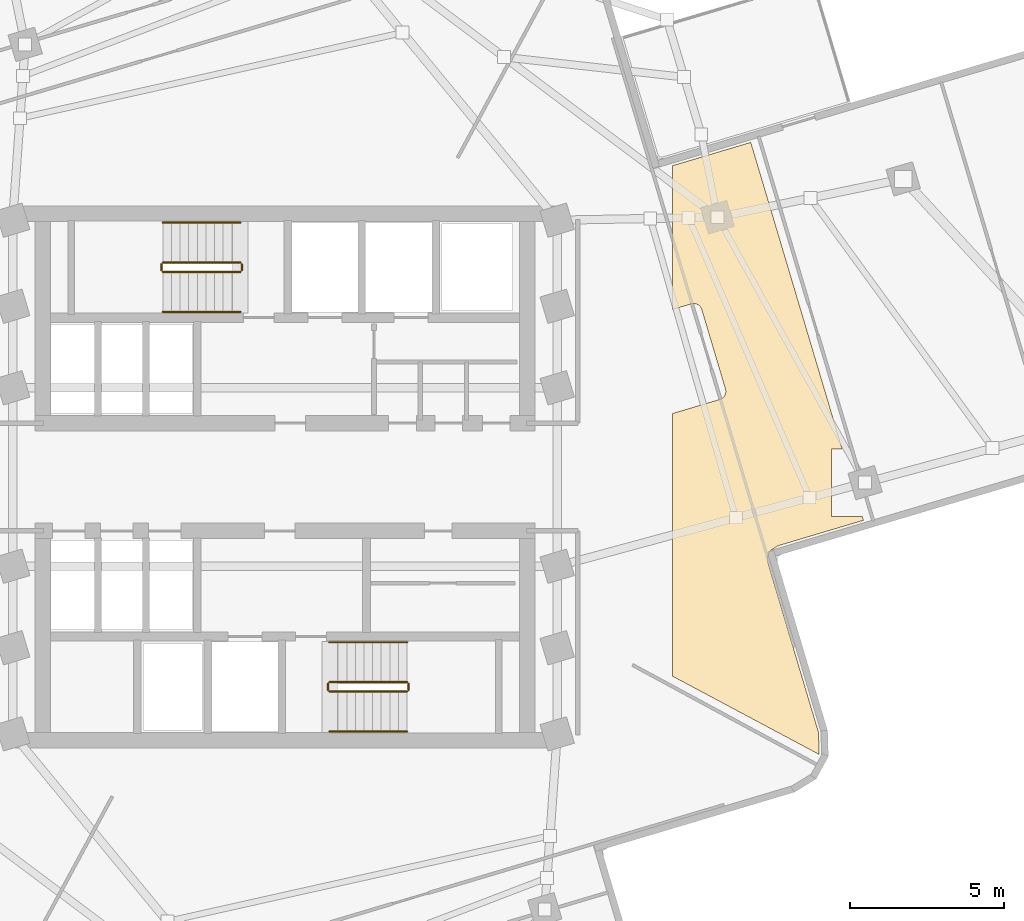
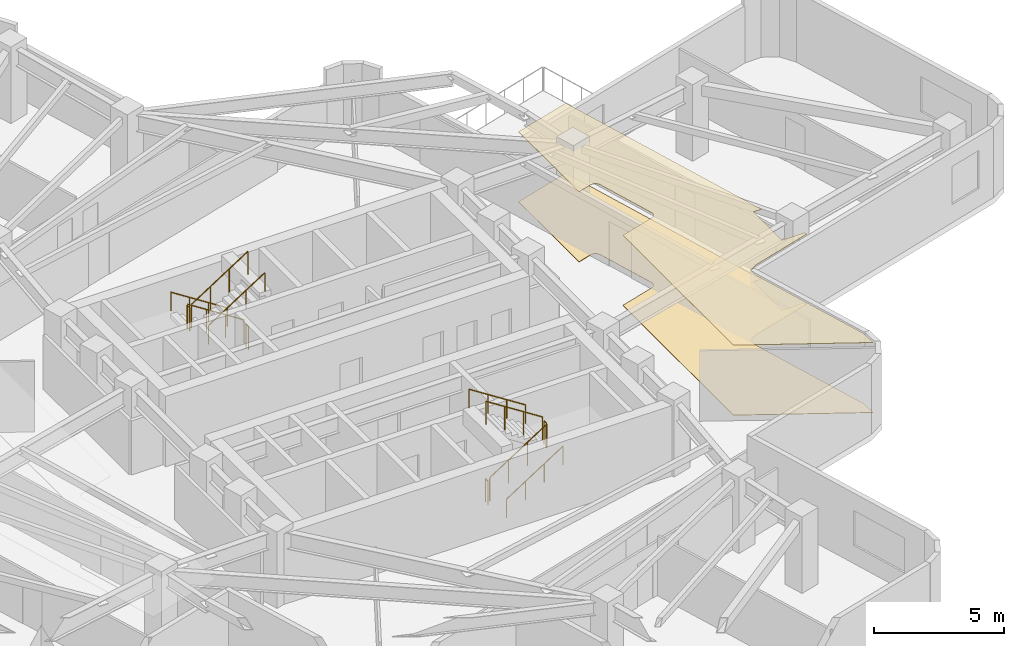
# One storey, part 10 of 11: 12 railings, 2 coverings.
"""IFC4 building model written with IfcOpenShell, lengths in metres."""

from ifc_helpers import new_model, si_unit, direction, frame, origin, origin_2d, place, context, subcontext, project, spatial, polyline, circle, outline, extrude, material, layer, layer_set, type_object, element, save


model = new_model("IFC4")

# Units and contexts
model_context = context("Model", 3, precision=1e-05, world=origin(), true_north=direction((0.0, 1.0)))
body_context = subcontext(model_context, "Body", "Model", "MODEL_VIEW")
ifc_project = project(units=[si_unit("LENGTHUNIT", "METRE"), si_unit("AREAUNIT", "SQUARE_METRE"), si_unit("VOLUMEUNIT", "CUBIC_METRE"), si_unit("PLANEANGLEUNIT", "RADIAN"), si_unit("MASSUNIT", "GRAM", prefix="KILO")], contexts=[model_context])

# Site, building, storey
site_placement = place(None, origin())
site = spatial("IfcSite", under=ifc_project, at=site_placement, CompositionType="ELEMENT")
building_placement = place(site_placement, origin())
building = spatial("IfcBuilding", under=site, at=building_placement, Name="Solmarez Civic Tower", CompositionType="ELEMENT")
storey_placement = place(building_placement, frame((0.0, 0.0, 141.47998046875)))
storey = spatial("IfcBuildingStorey", under=building, at=storey_placement, Name="L37", CompositionType="ELEMENT", Elevation=141.47998046875)

# Coverings
ifc_material_1 = material(Name="Perforated Mineral-Fibre Acoustic Ceiling")
ifc_layer_1 = layer(ifc_material_1, 0.02490234375)
ifc_layer_set_1 = layer_set([ifc_layer_1], Name="Perforated Mineral-Fibre Acoustic Ceiling")
covering_type_1 = type_object("IfcCoveringType", Name="COV-CEIL-ACOUSTIC", PredefinedType="CEILING", material=ifc_layer_set_1)
covering_1_placement = place(storey_placement, frame((0.0, 0.0, 3.294921875)))
element("IfcCovering", 1, at=covering_1_placement, inside=storey, type_object=covering_type_1, Name="L37 Suspended Acoustic Ceiling 2", PredefinedType="CEILING", context=body_context, shape_type="SweptSolid", body=[
    extrude(outline(polyline([(12.60009765625, 10.1220703125), (12.60009765625, 5.447021484375), (13.217041015625, 5.631103515625), (13.237060546875, 5.635986328125), (13.258056640625, 5.638916015625), (13.26806640625, 5.639892578125), (13.2900390625, 5.64111328125), (13.294921875, 5.64111328125), (13.31689453125, 5.639892578125), (13.337890625, 5.636962890625), (13.343017578125, 5.635986328125), (13.3701171875, 5.62890625), (13.37890625, 5.6259765625), (13.39111328125, 5.62109375), (13.39599609375, 5.618896484375), (13.4130859375, 5.611083984375), (13.429931640625, 5.60205078125), (13.446044921875, 5.591064453125), (13.4580078125, 5.58203125), (13.47607421875, 5.56689453125), (13.492919921875, 5.549072265625), (13.4990234375, 5.5419921875), (13.511962890625, 5.52490234375), (13.52294921875, 5.507080078125), (13.532958984375, 5.488037109375), (13.537109375, 5.47900390625), (13.5400390625, 5.471923828125), (13.5419921875, 5.467041015625), (13.549072265625, 5.447998046875), (14.321044921875, 2.85595703125), (14.325927734375, 2.8359375), (14.326904296875, 2.8310546875), (14.330078125, 2.81005859375), (14.3310546875, 2.7880859375), (14.3310546875, 2.778076171875), (14.330078125, 2.756103515625), (14.326904296875, 2.735107421875), (14.325927734375, 2.72998046875), (14.319091796875, 2.702880859375), (14.31591796875, 2.694091796875), (14.31103515625, 2.681884765625), (14.30908203125, 2.677001953125), (14.301025390625, 2.659912109375), (14.2919921875, 2.64306640625), (14.281005859375, 2.626953125), (14.27197265625, 2.614990234375), (14.257080078125, 2.596923828125), (14.239013671875, 2.580078125), (14.23193359375, 2.573974609375), (14.215087890625, 2.56103515625), (14.197021484375, 2.550048828125), (14.177978515625, 2.5400390625), (14.1689453125, 2.535888671875), (14.162109375, 2.532958984375), (14.156982421875, 2.531005859375), (14.137939453125, 2.52392578125), (12.60009765625, 2.06591796875), (12.60009765625, -6.47509765625), (17.361083984375, -9.01611328125), (17.364013671875, -9.009033203125), (17.344970703125, -8.301025390625), (15.721923828125, -2.85888671875), (15.717041015625, -2.840087890625), (15.712890625, -2.820068359375), (15.7109375, -2.805908203125), (15.708984375, -2.780029296875), (15.705078125, -2.60302734375), (15.705078125, -2.594970703125), (15.70703125, -2.56396484375), (15.7080078125, -2.55908203125), (15.708984375, -2.552978515625), (15.7109375, -2.535888671875), (15.715087890625, -2.52001953125), (15.717041015625, -2.512939453125), (15.72705078125, -2.486083984375), (15.72998046875, -2.47900390625), (15.740966796875, -2.45703125), (15.7451171875, -2.449951171875), (15.7529296875, -2.43701171875), (15.757080078125, -2.430908203125), (15.77099609375, -2.412109375), (15.77587890625, -2.406005859375), (15.7890625, -2.39111328125), (15.7939453125, -2.385986328125), (15.80908203125, -2.373046875), (15.81494140625, -2.367919921875), (15.827880859375, -2.35791015625), (15.8349609375, -2.35302734375), (15.847900390625, -2.344970703125), (15.993896484375, -2.2548828125), (16.010986328125, -2.2451171875), (16.01708984375, -2.241943359375), (16.028076171875, -2.237060546875), (16.034912109375, -2.23388671875), (16.052001953125, -2.22705078125), (16.05810546875, -2.22509765625), (16.06494140625, -2.222900390625), (18.804931640625, -1.406005859375), (18.76904296875, -1.282958984375), (17.760009765625, -1.282958984375), (17.760009765625, 0.9169921875), (18.113037109375, 0.9169921875), (15.14306640625, 10.87890625), (12.60009765625, 10.1220703125)])), origin(), (0.0, 0.0, 1.0), 0.025146484375),
])
ifc_material_2 = material(Name="Polished Tropical Stone Terrazzo Flooring", Category="masonry")
ifc_layer_2 = layer(ifc_material_2, 0.02001953125)
ifc_layer_set_2 = layer_set([ifc_layer_2], Name="Polished Tropical Stone Terrazzo Flooring")
covering_type_2 = type_object("IfcCoveringType", Name="COV-FLOOR-TERRAZZO", PredefinedType="FLOORING", material=ifc_layer_set_2)
covering_2_placement = place(storey_placement, origin())
element("IfcCovering", 2, at=covering_2_placement, inside=storey, type_object=covering_type_2, Name="L37 Terrazzo Floor Finish 2", PredefinedType="FLOORING", context=body_context, shape_type="SweptSolid", body=[
    extrude(outline(polyline([(12.60009765625, 10.1220703125), (12.60009765625, 5.447021484375), (13.217041015625, 5.631103515625), (13.237060546875, 5.635986328125), (13.258056640625, 5.638916015625), (13.26806640625, 5.639892578125), (13.2900390625, 5.64111328125), (13.294921875, 5.64111328125), (13.31689453125, 5.639892578125), (13.337890625, 5.636962890625), (13.343017578125, 5.635986328125), (13.3701171875, 5.62890625), (13.37890625, 5.6259765625), (13.39111328125, 5.62109375), (13.39599609375, 5.618896484375), (13.4130859375, 5.611083984375), (13.429931640625, 5.60205078125), (13.446044921875, 5.591064453125), (13.4580078125, 5.58203125), (13.47607421875, 5.56689453125), (13.492919921875, 5.549072265625), (13.4990234375, 5.5419921875), (13.511962890625, 5.52490234375), (13.52294921875, 5.507080078125), (13.532958984375, 5.488037109375), (13.537109375, 5.47900390625), (13.5400390625, 5.471923828125), (13.5419921875, 5.467041015625), (13.549072265625, 5.447998046875), (14.321044921875, 2.85595703125), (14.325927734375, 2.8359375), (14.326904296875, 2.8310546875), (14.330078125, 2.81005859375), (14.3310546875, 2.7880859375), (14.3310546875, 2.778076171875), (14.330078125, 2.756103515625), (14.326904296875, 2.735107421875), (14.325927734375, 2.72998046875), (14.319091796875, 2.702880859375), (14.31591796875, 2.694091796875), (14.31103515625, 2.681884765625), (14.30908203125, 2.677001953125), (14.301025390625, 2.659912109375), (14.2919921875, 2.64306640625), (14.281005859375, 2.626953125), (14.27197265625, 2.614990234375), (14.257080078125, 2.596923828125), (14.239013671875, 2.580078125), (14.23193359375, 2.573974609375), (14.215087890625, 2.56103515625), (14.197021484375, 2.550048828125), (14.177978515625, 2.5400390625), (14.1689453125, 2.535888671875), (14.162109375, 2.532958984375), (14.156982421875, 2.531005859375), (14.137939453125, 2.52392578125), (12.60009765625, 2.06591796875), (12.60009765625, -6.47509765625), (17.361083984375, -9.01611328125), (17.364013671875, -9.009033203125), (17.344970703125, -8.301025390625), (15.721923828125, -2.85888671875), (15.717041015625, -2.840087890625), (15.712890625, -2.820068359375), (15.7109375, -2.805908203125), (15.708984375, -2.780029296875), (15.705078125, -2.60302734375), (15.705078125, -2.594970703125), (15.70703125, -2.56396484375), (15.7080078125, -2.55908203125), (15.708984375, -2.552978515625), (15.7109375, -2.535888671875), (15.715087890625, -2.52001953125), (15.717041015625, -2.512939453125), (15.72705078125, -2.486083984375), (15.72998046875, -2.47900390625), (15.740966796875, -2.45703125), (15.7451171875, -2.449951171875), (15.7529296875, -2.43701171875), (15.757080078125, -2.430908203125), (15.77099609375, -2.412109375), (15.77587890625, -2.406005859375), (15.7890625, -2.39111328125), (15.7939453125, -2.385986328125), (15.80908203125, -2.373046875), (15.81494140625, -2.367919921875), (15.827880859375, -2.35791015625), (15.8349609375, -2.35302734375), (15.847900390625, -2.344970703125), (15.993896484375, -2.2548828125), (16.010986328125, -2.2451171875), (16.01708984375, -2.241943359375), (16.028076171875, -2.237060546875), (16.034912109375, -2.23388671875), (16.052001953125, -2.22705078125), (16.05810546875, -2.22509765625), (16.06494140625, -2.222900390625), (18.804931640625, -1.406005859375), (18.76904296875, -1.282958984375), (17.760009765625, -1.282958984375), (17.760009765625, 0.9169921875), (18.113037109375, 0.9169921875), (15.14306640625, 10.87890625), (12.60009765625, 10.1220703125)])), origin(), (0.0, 0.0, 1.0), 0.02001953125),
])

# Railings
ifc_material_3 = material(Name="Painted Steel Stairwell Safety Guard", Category="steel")
railing_type_1 = type_object("IfcRailingType", Name="GUARD-STAIR-1120", PredefinedType="BALUSTRADE", material=ifc_material_3)
railing_1_placement = place(storey_placement, frame((-1.449951171875, 6.969970703125, 0.179931640625)))
element("IfcRailing", 3, at=railing_1_placement, inside=storey, type_object=railing_type_1, Name="L37 ST-1 stair guard 1", PredefinedType="BALUSTRADE", context=body_context, shape_type="SweptSolid", body=[
    extrude(circle(Radius=0.02392578125, at=origin_2d()), frame((0.0, 0.0, 1.09619140625), z_axis=(-0.841162588446, 0.0, 0.540782303519), x_axis=(0.0, -1.0, 0.0)), (0.0, 0.0, 1.0), 2.995849609375),
    extrude(circle(Radius=0.02099609375, at=origin_2d()), origin(), (0.0, 0.0, 1.0), 1.072021484375),
    extrude(circle(Radius=0.02099609375, at=origin_2d()), frame((-0.840087890625, 0.0, 0.5400390625)), (0.0, 0.0, 1.0), 1.072021484375),
    extrude(circle(Radius=0.02099609375, at=origin_2d()), frame((-1.679931640625, 0.0, 1.080078125)), (0.0, 0.0, 1.0), 1.072021484375),
    extrude(circle(Radius=0.02099609375, at=origin_2d()), frame((-2.52001953125, 0.0, 1.6201171875)), (0.0, 0.0, 1.0), 1.072021484375),
])
railing_2_placement = place(storey_placement, frame((-4.02001953125, 6.919921875, 1.800048828125)))
element("IfcRailing", 4, at=railing_2_placement, inside=storey, type_object=railing_type_1, Name="L37 ST-1 stair guard 2", PredefinedType="BALUSTRADE", context=body_context, shape_type="SweptSolid", body=[
    extrude(circle(Radius=0.02392578125, at=origin_2d()), frame((0.0, 0.0, 1.09619140625), z_axis=(0.0, -1.0, 0.0), x_axis=(1.0, 0.0, 0.0)), (0.0, 0.0, 1.0), 0.199951171875),
    extrude(circle(Radius=0.02099609375, at=origin_2d()), origin(), (0.0, 0.0, 1.0), 1.072021484375),
    extrude(circle(Radius=0.02099609375, at=origin_2d()), frame((0.0, -0.199951171875, 0.0)), (0.0, 0.0, 1.0), 1.072021484375),
])
railing_3_placement = place(storey_placement, frame((-3.969970703125, 6.669921875, 1.97998046875)))
element("IfcRailing", 5, at=railing_3_placement, inside=storey, type_object=railing_type_1, Name="L37 ST-1 stair guard 3", PredefinedType="BALUSTRADE", context=body_context, shape_type="SweptSolid", body=[
    extrude(circle(Radius=0.02392578125, at=origin_2d()), frame((0.0, 0.0, 1.09619140625), z_axis=(0.841162588446, 0.0, 0.540782303519), x_axis=(0.0, 1.0, 0.0)), (0.0, 0.0, 1.0), 2.995849609375),
    extrude(circle(Radius=0.02099609375, at=origin_2d()), origin(), (0.0, 0.0, 1.0), 1.072021484375),
    extrude(circle(Radius=0.02099609375, at=origin_2d()), frame((0.840087890625, 0.0, 0.5400390625)), (0.0, 0.0, 1.0), 1.072021484375),
    extrude(circle(Radius=0.02099609375, at=origin_2d()), frame((1.679931640625, 0.0, 1.080078125)), (0.0, 0.0, 1.0), 1.072021484375),
    extrude(circle(Radius=0.02099609375, at=origin_2d()), frame((2.52001953125, 0.0, 1.6201171875)), (0.0, 0.0, 1.0), 1.072021484375),
])
railing_4_placement = place(storey_placement, frame((-1.39990234375, 6.919921875, 0.0)))
element("IfcRailing", 6, at=railing_4_placement, inside=storey, type_object=railing_type_1, Name="L37 ST-1 stair guard 4", PredefinedType="BALUSTRADE", context=body_context, shape_type="SweptSolid", body=[
    extrude(circle(Radius=0.02392578125, at=origin_2d()), frame((0.0, 0.0, 1.09619140625), z_axis=(0.0, -1.0, 0.0), x_axis=(1.0, 0.0, 0.0)), (0.0, 0.0, 1.0), 0.199951171875),
    extrude(circle(Radius=0.02099609375, at=origin_2d()), origin(), (0.0, 0.0, 1.0), 1.072021484375),
    extrude(circle(Radius=0.02099609375, at=origin_2d()), frame((0.0, -0.199951171875, 0.0)), (0.0, 0.0, 1.0), 1.072021484375),
])
railing_5_placement = place(storey_placement, frame((1.449951171875, -6.969970703125, 0.179931640625)))
element("IfcRailing", 7, at=railing_5_placement, inside=storey, type_object=railing_type_1, Name="L37 ST-2 stair guard 1", PredefinedType="BALUSTRADE", context=body_context, shape_type="SweptSolid", body=[
    extrude(circle(Radius=0.02392578125, at=origin_2d()), frame((0.0, 0.0, 1.09619140625), z_axis=(0.841162588446, 0.0, 0.540782303519), x_axis=(0.0, 1.0, 0.0)), (0.0, 0.0, 1.0), 2.995849609375),
    extrude(circle(Radius=0.02099609375, at=origin_2d()), origin(), (0.0, 0.0, 1.0), 1.072021484375),
    extrude(circle(Radius=0.02099609375, at=origin_2d()), frame((0.840087890625, 0.0, 0.5400390625)), (0.0, 0.0, 1.0), 1.072021484375),
    extrude(circle(Radius=0.02099609375, at=origin_2d()), frame((1.679931640625, 0.0, 1.080078125)), (0.0, 0.0, 1.0), 1.072021484375),
    extrude(circle(Radius=0.02099609375, at=origin_2d()), frame((2.52001953125, 0.0, 1.6201171875)), (0.0, 0.0, 1.0), 1.072021484375),
])
railing_6_placement = place(storey_placement, frame((4.02001953125, -6.919921875, 1.800048828125)))
element("IfcRailing", 8, at=railing_6_placement, inside=storey, type_object=railing_type_1, Name="L37 ST-2 stair guard 2", PredefinedType="BALUSTRADE", context=body_context, shape_type="SweptSolid", body=[
    extrude(circle(Radius=0.02392578125, at=origin_2d()), frame((0.0, 0.0, 1.09619140625), z_axis=(0.0, 1.0, 0.0), x_axis=(-1.0, 0.0, 0.0)), (0.0, 0.0, 1.0), 0.199951171875),
    extrude(circle(Radius=0.02099609375, at=origin_2d()), origin(), (0.0, 0.0, 1.0), 1.072021484375),
    extrude(circle(Radius=0.02099609375, at=origin_2d()), frame((0.0, 0.199951171875, 0.0)), (0.0, 0.0, 1.0), 1.072021484375),
])
railing_7_placement = place(storey_placement, frame((3.969970703125, -6.669921875, 1.97998046875)))
element("IfcRailing", 9, at=railing_7_placement, inside=storey, type_object=railing_type_1, Name="L37 ST-2 stair guard 3", PredefinedType="BALUSTRADE", context=body_context, shape_type="SweptSolid", body=[
    extrude(circle(Radius=0.02392578125, at=origin_2d()), frame((0.0, 0.0, 1.09619140625), z_axis=(-0.841162588446, 0.0, 0.540782303519), x_axis=(0.0, -1.0, 0.0)), (0.0, 0.0, 1.0), 2.995849609375),
    extrude(circle(Radius=0.02099609375, at=origin_2d()), origin(), (0.0, 0.0, 1.0), 1.072021484375),
    extrude(circle(Radius=0.02099609375, at=origin_2d()), frame((-0.840087890625, 0.0, 0.5400390625)), (0.0, 0.0, 1.0), 1.072021484375),
    extrude(circle(Radius=0.02099609375, at=origin_2d()), frame((-1.679931640625, 0.0, 1.080078125)), (0.0, 0.0, 1.0), 1.072021484375),
    extrude(circle(Radius=0.02099609375, at=origin_2d()), frame((-2.52001953125, 0.0, 1.6201171875)), (0.0, 0.0, 1.0), 1.072021484375),
])
railing_8_placement = place(storey_placement, frame((1.39990234375, -6.919921875, 0.0)))
element("IfcRailing", 10, at=railing_8_placement, inside=storey, type_object=railing_type_1, Name="L37 ST-2 stair guard 4", PredefinedType="BALUSTRADE", context=body_context, shape_type="SweptSolid", body=[
    extrude(circle(Radius=0.02392578125, at=origin_2d()), frame((0.0, 0.0, 1.09619140625), z_axis=(0.0, 1.0, 0.0), x_axis=(-1.0, 0.0, 0.0)), (0.0, 0.0, 1.0), 0.199951171875),
    extrude(circle(Radius=0.02099609375, at=origin_2d()), origin(), (0.0, 0.0, 1.0), 1.072021484375),
    extrude(circle(Radius=0.02099609375, at=origin_2d()), frame((0.0, 0.199951171875, 0.0)), (0.0, 0.0, 1.0), 1.072021484375),
])
ifc_material_4 = material(Name="Brushed Stainless Steel Tube Handrail", Category="steel")
railing_type_2 = type_object("IfcRailingType", Name="HANDRAIL-STAIR-900", PredefinedType="HANDRAIL", material=ifc_material_4)
railing_9_placement = place(storey_placement, frame((-1.449951171875, 8.27001953125, 0.179931640625)))
element("IfcRailing", 11, at=railing_9_placement, inside=storey, type_object=railing_type_2, Name="L37 ST-1 stair handrail 1", PredefinedType="HANDRAIL", context=body_context, shape_type="SweptSolid", body=[
    extrude(circle(Radius=0.02392578125, at=origin_2d()), frame((0.0, 0.0, 0.8759765625), z_axis=(-0.841162588446, 0.0, 0.540782303519), x_axis=(0.0, -1.0, 0.0)), (0.0, 0.0, 1.0), 2.995849609375),
    extrude(circle(Radius=0.02099609375, at=origin_2d()), origin(), (0.0, 0.0, 1.0), 0.851806640625),
    extrude(circle(Radius=0.02099609375, at=origin_2d()), frame((-0.840087890625, 0.0, 0.5400390625)), (0.0, 0.0, 1.0), 0.851806640625),
    extrude(circle(Radius=0.02099609375, at=origin_2d()), frame((-1.679931640625, 0.0, 1.080078125)), (0.0, 0.0, 1.0), 0.851806640625),
    extrude(circle(Radius=0.02099609375, at=origin_2d()), frame((-2.52001953125, 0.0, 1.6201171875)), (0.0, 0.0, 1.0), 0.851806640625),
])
for number, where, name in (
    (12, (-3.969970703125, 5.3701171875, 1.97998046875), "L37 ST-1 stair handrail 2"),
    (13, (1.449951171875, -8.27001953125, 0.179931640625), "L37 ST-2 stair handrail 1"),
):
    element("IfcRailing", number, at=place(storey_placement, frame(where)), inside=storey, type_object=railing_type_2, Name=name, PredefinedType="HANDRAIL", context=body_context, shape_type="SweptSolid", body=[
        extrude(circle(Radius=0.02392578125, at=origin_2d()), frame((0.0, 0.0, 0.8759765625), z_axis=(0.841162588446, 0.0, 0.540782303519), x_axis=(0.0, 1.0, 0.0)), (0.0, 0.0, 1.0), 2.995849609375),
        extrude(circle(Radius=0.02099609375, at=origin_2d()), origin(), (0.0, 0.0, 1.0), 0.851806640625),
        extrude(circle(Radius=0.02099609375, at=origin_2d()), frame((0.840087890625, 0.0, 0.5400390625)), (0.0, 0.0, 1.0), 0.851806640625),
        extrude(circle(Radius=0.02099609375, at=origin_2d()), frame((1.679931640625, 0.0, 1.080078125)), (0.0, 0.0, 1.0), 0.851806640625),
        extrude(circle(Radius=0.02099609375, at=origin_2d()), frame((2.52001953125, 0.0, 1.6201171875)), (0.0, 0.0, 1.0), 0.851806640625),
    ])
railing_10_placement = place(storey_placement, frame((3.969970703125, -5.3701171875, 1.97998046875)))
element("IfcRailing", 14, at=railing_10_placement, inside=storey, type_object=railing_type_2, Name="L37 ST-2 stair handrail 2", PredefinedType="HANDRAIL", context=body_context, shape_type="SweptSolid", body=[
    extrude(circle(Radius=0.02392578125, at=origin_2d()), frame((0.0, 0.0, 0.8759765625), z_axis=(-0.841162588446, 0.0, 0.540782303519), x_axis=(0.0, -1.0, 0.0)), (0.0, 0.0, 1.0), 2.995849609375),
    extrude(circle(Radius=0.02099609375, at=origin_2d()), origin(), (0.0, 0.0, 1.0), 0.851806640625),
    extrude(circle(Radius=0.02099609375, at=origin_2d()), frame((-0.840087890625, 0.0, 0.5400390625)), (0.0, 0.0, 1.0), 0.851806640625),
    extrude(circle(Radius=0.02099609375, at=origin_2d()), frame((-1.679931640625, 0.0, 1.080078125)), (0.0, 0.0, 1.0), 0.851806640625),
    extrude(circle(Radius=0.02099609375, at=origin_2d()), frame((-2.52001953125, 0.0, 1.6201171875)), (0.0, 0.0, 1.0), 0.851806640625),
])

save(model, "model.ifc")
